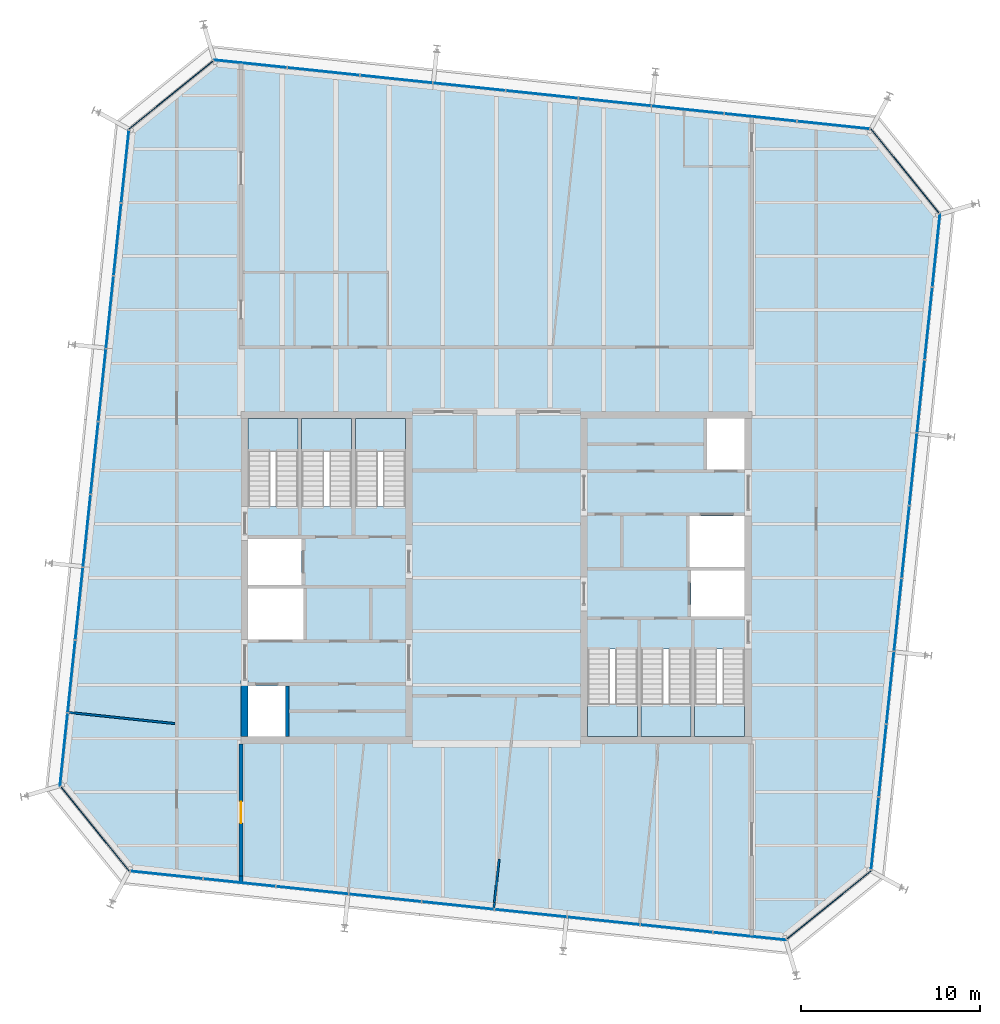
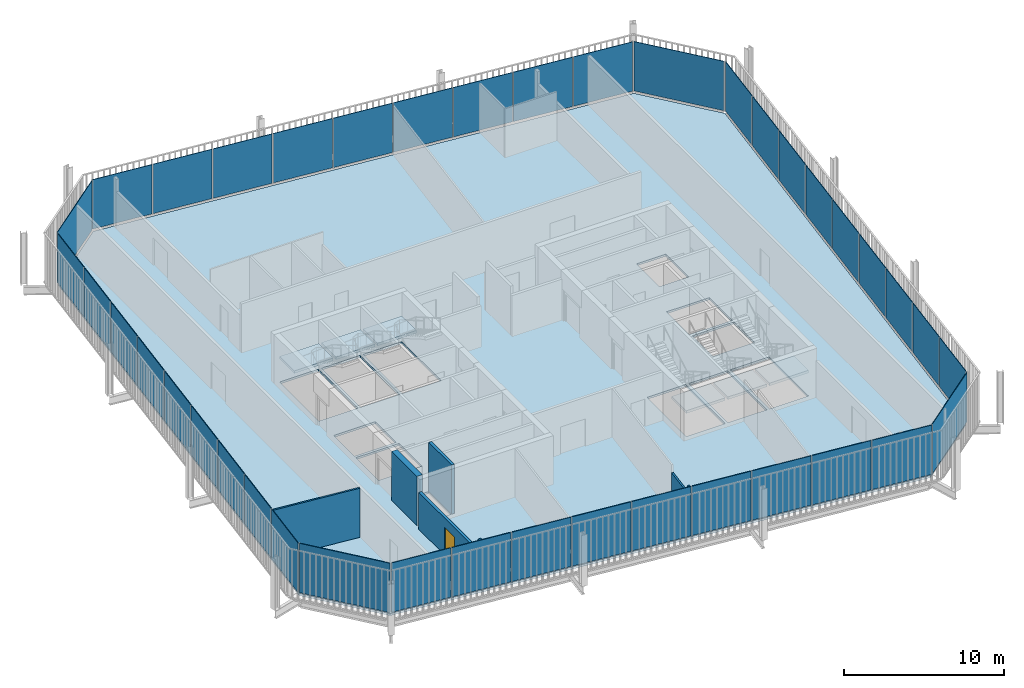
# One storey, part 15 of 20: 40 plates, 7 slabs, 7 walls, 1 door, 1 opening, 14 elements without a shape of their own.
"""IFC4 building model written with IfcOpenShell, lengths in metres."""

import ifcopenshell
import ifcopenshell.guid

model = None  # the IFC model being written
_history = None  # IfcOwnerHistory: only IFC2X3 demands one
_inside = {}  # id of a spatial element -> (the spatial element, [elements in it])
_under = {}  # id of a project, library or spatial element -> (it, [spatial elements below it])
_declared = {}  # id of a project -> (the project, [libraries it declares])
_typed = {}  # id of a type object -> (the type object, [elements of that type])
_made_of = {}  # id of a material, layer set ... -> (it, [elements and type objects made of it])


def new_model(schema):
    """Start an empty IFC model of exactly this schema.

    Asked for "IFC4X3", IfcOpenShell would pick the latest addendum, in which some entities
    have other attributes; the version numbers below select the first issue.
    IFC2X3 requires an IfcOwnerHistory on every rooted entity: one is made here for all.
    """
    global model, _history
    if schema == "IFC4X3":
        model = ifcopenshell.file(schema_version=(4, 3, 0, 0))
    else:
        model = ifcopenshell.file(schema=schema)
    _inside.clear()
    _under.clear()
    _declared.clear()
    _typed.clear()
    _made_of.clear()
    _history = None
    if model.schema == "IFC2X3":
        org = make("IfcOrganization", Name="unknown")
        user = make(
            "IfcPersonAndOrganization",
            ThePerson=make("IfcPerson", FamilyName="unknown"),
            TheOrganization=org,
        )
        app = make(
            "IfcApplication",
            ApplicationDeveloper=org,
            Version="unknown",
            ApplicationFullName="unknown",
            ApplicationIdentifier="unknown",
        )
        _history = make(
            "IfcOwnerHistory",
            OwningUser=user,
            OwningApplication=app,
            ChangeAction="ADDED",
            CreationDate=0,
        )
    return model


def make(cls, **values):
    """One entity of the class cls with the attributes given. An attribute that is None is left unset."""
    return model.create_entity(
        cls, **{name: value for name, value in values.items() if value is not None}
    )


def rooted(cls, **values):
    """An entity with a GlobalId (a new one), such as an element, a storey or a relation."""
    return make(cls, GlobalId=ifcopenshell.guid.new(), OwnerHistory=_history, **values)


def si_unit(unit_type, name, prefix=None):
    """IfcSIUnit, for example si_unit("LENGTHUNIT", "METRE", prefix="MILLI")."""
    return make("IfcSIUnit", UnitType=unit_type, Prefix=prefix, Name=name)


def assignment(units):
    """IfcUnitAssignment: the units of a project."""
    return None if units is None else make("IfcUnitAssignment", Units=units)


def point(xyz):
    """IfcCartesianPoint."""
    return None if xyz is None else make("IfcCartesianPoint", Coordinates=xyz)


def direction(xyz):
    """IfcDirection."""
    return None if xyz is None else make("IfcDirection", DirectionRatios=xyz)


def frame(location, z_axis=None, x_axis=None):
    """IfcAxis2Placement3D, a coordinate frame: its origin and axes. An axis left out is left unset."""
    return make(
        "IfcAxis2Placement3D",
        Location=point(location),
        Axis=direction(z_axis),
        RefDirection=direction(x_axis),
    )


def frame_2d(location, x_axis=None):
    """IfcAxis2Placement2D, a coordinate frame in the plane: its origin and x axis."""
    return make(
        "IfcAxis2Placement2D", Location=point(location), RefDirection=direction(x_axis)
    )


def origin():
    """The frame at (0, 0, 0) with its axes left unset."""
    return frame((0.0, 0.0, 0.0))


def place(relative_to, where):
    """IfcLocalPlacement: puts the frame where relative to a parent placement (None: the world)."""
    return make(
        "IfcLocalPlacement", PlacementRelTo=relative_to, RelativePlacement=where
    )


def context(
    kind, dimensions, precision=None, world=None, true_north=None, identifier=None
):
    """IfcGeometricRepresentationContext, for example the 3D "Model" context."""
    return make(
        "IfcGeometricRepresentationContext",
        ContextIdentifier=identifier,
        ContextType=kind,
        CoordinateSpaceDimension=dimensions,
        Precision=precision,
        WorldCoordinateSystem=world,
        TrueNorth=true_north,
    )


def subcontext(parent, identifier, kind, view, scale=None):
    """IfcGeometricRepresentationSubContext, for example "Body" below "Model"."""
    return make(
        "IfcGeometricRepresentationSubContext",
        ContextIdentifier=identifier,
        ContextType=kind,
        ParentContext=parent,
        TargetScale=scale,
        TargetView=view,
    )


def project(units=None, contexts=None):
    """IfcProject with its units and contexts."""
    return rooted(
        "IfcProject",
        Name="project",
        RepresentationContexts=contexts,
        UnitsInContext=assignment(units),
    )


def spatial(cls, under=None, at=None, **own):
    """A site, building, storey or space (cls), placed at a placement, below another one or the project."""
    s = rooted(cls, ObjectPlacement=at, **own)
    if under is not None:
        _under.setdefault(under.id(), (under, []))[1].append(s)
    return s


def polyline(points):
    """IfcPolyline through the points."""
    return make("IfcPolyline", Points=[point(p) for p in points])


def profile(cls, at=None, kind="AREA", **sizes):
    """A parametric profile (cls). Its sizes go by their IFC names, for example OverallWidth=200.0."""
    return make(cls, ProfileType=kind, Position=at, **sizes)


def rectangle(**sizes):
    """IfcRectangleProfileDef."""
    return profile("IfcRectangleProfileDef", **sizes)


def outline(outer, holes=None, kind="AREA"):
    """IfcArbitraryClosedProfileDef: a profile drawn as a closed curve; with holes, ...WithVoids."""
    if holes is None:
        return make("IfcArbitraryClosedProfileDef", ProfileType=kind, OuterCurve=outer)
    return make(
        "IfcArbitraryProfileDefWithVoids",
        ProfileType=kind,
        OuterCurve=outer,
        InnerCurves=holes,
    )


def extrude(swept, where, along, depth):
    """IfcExtrudedAreaSolid: the profile swept, set in the frame where, extruded along a direction by depth."""
    return make(
        "IfcExtrudedAreaSolid",
        SweptArea=swept,
        Position=where,
        ExtrudedDirection=direction(along),
        Depth=depth,
    )


def shape(context_of_items, identifier, shape_type, items):
    """IfcShapeRepresentation: the items that make up one representation, for example the "Body"."""
    return make(
        "IfcShapeRepresentation",
        ContextOfItems=context_of_items,
        RepresentationIdentifier=identifier,
        RepresentationType=shape_type,
        Items=items,
    )


def material(Name=None, Category=None):
    """IfcMaterial."""
    return make("IfcMaterial", Name=Name, Category=Category)


def layer(
    of_material, thickness, ventilated=None, Name=None, Category=None, Priority=None
):
    """IfcMaterialLayer: one layer of a wall or slab, of a material (None: an air gap)."""
    return make(
        "IfcMaterialLayer",
        Material=of_material,
        LayerThickness=thickness,
        IsVentilated=ventilated,
        Name=Name,
        Category=Category,
        Priority=Priority,
    )


def layer_set(layers, Name=None):
    """IfcMaterialLayerSet."""
    return make("IfcMaterialLayerSet", MaterialLayers=layers, LayerSetName=Name)


def made_of(thing, what):
    """Note that an element or type object is made of a material, layer set ...; save() writes the relation."""
    if what is not None:
        _made_of.setdefault(what.id(), (what, []))[1].append(thing)
    return thing


def type_object(cls, material=None, **own):
    """A type object (cls), such as IfcWallType, which elements share."""
    return made_of(rooted(cls, **own), material)


def element(
    cls,
    number,
    at=None,
    inside=None,
    cuts=None,
    type_object=None,
    material=None,
    context=None,
    identifier="Body",
    shape_type=None,
    held_by="IfcProductDefinitionShape",
    body=None,
    shapes=None,
    **own,
):
    """One element of the class cls, such as IfcWall. Its Tag is "e" and its number.

    at: its placement. inside: the storey or other place that contains it. cuts: it is an
    opening in that element (IfcRelVoidsElement). A single representation is given by context,
    identifier, shape_type and body (its items); several are given by shapes. held_by: the class
    of the entity that holds the representations. save() writes the other relations.
    """
    e = rooted(cls, Tag="e%d" % number, ObjectPlacement=at, **own)
    if body is not None:
        shapes = [shape(context, identifier, shape_type, body)]
    if shapes is not None:
        e.Representation = make(held_by, Representations=shapes)
    if inside is not None:
        _inside.setdefault(inside.id(), (inside, []))[1].append(e)
    if cuts is not None:
        rooted(
            "IfcRelVoidsElement", RelatingBuildingElement=cuts, RelatedOpeningElement=e
        )
    if type_object is not None:
        _typed.setdefault(type_object.id(), (type_object, []))[1].append(e)
    return made_of(e, material)


def fill(opening, filler):
    """IfcRelFillsElement: the door or window that sits in an opening."""
    return rooted(
        "IfcRelFillsElement",
        RelatingOpeningElement=opening,
        RelatedBuildingElement=filler,
    )


def aggregate(whole, parts):
    """IfcRelAggregates: a whole, such as a stair, and the parts it consists of."""
    return rooted("IfcRelAggregates", RelatingObject=whole, RelatedObjects=parts)


def save(model, path):
    """Write the relations noted so far, then the file.

    IfcRelAggregates (storeys below a building ...), IfcRelContainedInSpatialStructure (elements
    in a storey), IfcRelDefinesByType, IfcRelAssociatesMaterial and IfcRelDeclares: one each for
    every whole, place, type object, material and project.
    """
    for whole, parts in _under.values():
        aggregate(whole, parts)
    for where, things in _inside.values():
        rooted(
            "IfcRelContainedInSpatialStructure",
            RelatedElements=things,
            RelatingStructure=where,
        )
    for kind, things in _typed.values():
        rooted("IfcRelDefinesByType", RelatedObjects=things, RelatingType=kind)
    for what, things in _made_of.values():
        rooted("IfcRelAssociatesMaterial", RelatedObjects=things, RelatingMaterial=what)
    for by, libraries in _declared.values():
        rooted("IfcRelDeclares", RelatingContext=by, RelatedDefinitions=libraries)
    model.write(path)


model = new_model("IFC4")

# Units and contexts
model_context = context("Model", 3, precision=1e-05, world=origin(), true_north=direction((0.0, 1.0)))
body_context = subcontext(model_context, "Body", "Model", "MODEL_VIEW")
ifc_project = project(units=[si_unit("LENGTHUNIT", "METRE"), si_unit("AREAUNIT", "SQUARE_METRE"), si_unit("VOLUMEUNIT", "CUBIC_METRE"), si_unit("PLANEANGLEUNIT", "RADIAN"), si_unit("MASSUNIT", "GRAM", prefix="KILO")], contexts=[model_context])

# Site, building, storey
site_placement = place(None, origin())
site = spatial("IfcSite", under=ifc_project, at=site_placement, CompositionType="ELEMENT")
building_placement = place(site_placement, origin())
building = spatial("IfcBuilding", under=site, at=building_placement, Name="Millrace Tower", CompositionType="ELEMENT")
storey_placement = place(building_placement, frame((0.0, 0.0, 295.5)))
storey = spatial("IfcBuildingStorey", under=building, at=storey_placement, Name="L68", CompositionType="ELEMENT", Elevation=295.5)

# Curtain wall, plate
ifc_material_1 = material(Name="Aluminium and glass", Category="aluminium")
ifc_layer_1 = layer(ifc_material_1, 0.14990234375)
ifc_layer_set_1 = layer_set([ifc_layer_1], Name="Aluminium and glass")
curtain_wall_type = type_object("IfcCurtainWallType", Name="CW-1 office vision curtain wall", PredefinedType="NOTDEFINED", material=ifc_layer_set_1)
placement_1 = place(storey_placement, origin())
curtain_wall_1 = element("IfcCurtainWall", 1, at=placement_1, inside=storey, type_object=curtain_wall_type, Name="Curtain wall E-F01 L68", PredefinedType="NOTDEFINED")
ifc_material_2 = material(Name="Glass", Category="glass")
ifc_layer_2 = layer(ifc_material_2, 0.0439453125)
ifc_layer_set_2 = layer_set([ifc_layer_2], Name="Glass")
plate_type = type_object("IfcPlateType", Name="CW-1 office vision curtain wall triple-glazed vision panel", PredefinedType="CURTAIN_PANEL", material=ifc_layer_set_2)
placement_2 = place(storey_placement, frame((0.0, 0.0, 0.139892578125)))
plate_1 = element("IfcPlate", 2, at=placement_2, type_object=plate_type, Name="CW1 panel E-F01.1", PredefinedType="CURTAIN_PANEL", context=body_context, shape_type="SweptSolid", body=[
    extrude(outline(polyline([(-24.388427734375, -11.732421875), (-20.5771484375, -16.439208984375), (-20.554443359375, -16.397216796875), (-24.354248046875, -11.704833984375), (-24.388427734375, -11.732421875)])), origin(), (0.0, 0.0, 1.0), 3.760009765625),
])
aggregate(curtain_wall_1, [plate_1])

# Curtain wall, plates
curtain_wall_2 = element("IfcCurtainWall", 3, at=placement_1, inside=storey, type_object=curtain_wall_type, Name="Curtain wall E-F02 L68", PredefinedType="NOTDEFINED")
plate_2 = element("IfcPlate", 4, at=placement_2, type_object=plate_type, Name="CW1 panel E-F02.1", PredefinedType="CURTAIN_PANEL", context=body_context, shape_type="SweptSolid", body=[
    extrude(outline(polyline([(-20.472412109375, -16.4501953125), (-16.45947265625, -16.871826171875), (-16.454833984375, -16.828125), (-20.4677734375, -16.40625), (-20.472412109375, -16.4501953125)])), origin(), (0.0, 0.0, 1.0), 3.760009765625),
])
plate_3 = element("IfcPlate", 5, at=placement_2, type_object=plate_type, Name="CW1 panel E-F02.2", PredefinedType="CURTAIN_PANEL", context=body_context, shape_type="SweptSolid", body=[
    extrude(outline(polyline([(-16.39501953125, -16.878662109375), (-12.382080078125, -17.300537109375), (-12.37744140625, -17.256591796875), (-16.390380859375, -16.8349609375), (-16.39501953125, -16.878662109375)])), origin(), (0.0, 0.0, 1.0), 3.760009765625),
])
plate_4 = element("IfcPlate", 6, at=placement_2, type_object=plate_type, Name="CW1 panel E-F02.3", PredefinedType="CURTAIN_PANEL", context=body_context, shape_type="SweptSolid", body=[
    extrude(outline(polyline([(-12.3173828125, -17.30712890625), (-8.304443359375, -17.72900390625), (-8.2998046875, -17.685302734375), (-12.312744140625, -17.263427734375), (-12.3173828125, -17.30712890625)])), origin(), (0.0, 0.0, 1.0), 3.760009765625),
])
plate_5 = element("IfcPlate", 7, at=placement_2, type_object=plate_type, Name="CW1 panel E-F02.4", PredefinedType="CURTAIN_PANEL", context=body_context, shape_type="SweptSolid", body=[
    extrude(outline(polyline([(-8.23974609375, -17.73583984375), (-4.22705078125, -18.157470703125), (-4.222412109375, -18.11376953125), (-8.235107421875, -17.692138671875), (-8.23974609375, -17.73583984375)])), origin(), (0.0, 0.0, 1.0), 3.760009765625),
])
plate_6 = element("IfcPlate", 8, at=placement_2, type_object=plate_type, Name="CW1 panel E-F02.5", PredefinedType="CURTAIN_PANEL", context=body_context, shape_type="SweptSolid", body=[
    extrude(outline(polyline([(-4.162353515625, -18.164306640625), (-0.1494140625, -18.586181640625), (-0.144775390625, -18.54248046875), (-4.15771484375, -18.12060546875), (-4.162353515625, -18.164306640625)])), origin(), (0.0, 0.0, 1.0), 3.760009765625),
])
plate_7 = element("IfcPlate", 9, at=placement_2, type_object=plate_type, Name="CW1 panel E-F02.6", PredefinedType="CURTAIN_PANEL", context=body_context, shape_type="SweptSolid", body=[
    extrude(outline(polyline([(-0.084716796875, -18.593017578125), (3.92822265625, -19.0146484375), (3.932861328125, -18.970947265625), (-0.080078125, -18.549072265625), (-0.084716796875, -18.593017578125)])), origin(), (0.0, 0.0, 1.0), 3.760009765625),
])
plate_8 = element("IfcPlate", 10, at=placement_2, type_object=plate_type, Name="CW1 panel E-F02.7", PredefinedType="CURTAIN_PANEL", context=body_context, shape_type="SweptSolid", body=[
    extrude(outline(polyline([(3.99267578125, -19.021484375), (8.005615234375, -19.443359375), (8.01025390625, -19.3994140625), (3.997314453125, -18.977783203125), (3.99267578125, -19.021484375)])), origin(), (0.0, 0.0, 1.0), 3.760009765625),
])
plate_9 = element("IfcPlate", 11, at=placement_2, type_object=plate_type, Name="CW1 panel E-F02.8", PredefinedType="CURTAIN_PANEL", context=body_context, shape_type="SweptSolid", body=[
    extrude(outline(polyline([(8.0703125, -19.449951171875), (12.083251953125, -19.871826171875), (12.087890625, -19.828125), (8.074951171875, -19.40625), (8.0703125, -19.449951171875)])), origin(), (0.0, 0.0, 1.0), 3.760009765625),
])
plate_10 = element("IfcPlate", 12, at=placement_2, type_object=plate_type, Name="CW1 panel E-F02.9", PredefinedType="CURTAIN_PANEL", context=body_context, shape_type="SweptSolid", body=[
    extrude(outline(polyline([(12.14794921875, -19.878662109375), (16.20068359375, -20.3046875), (16.187255859375, -20.259033203125), (12.152587890625, -19.8349609375), (12.14794921875, -19.878662109375)])), origin(), (0.0, 0.0, 1.0), 3.760009765625),
])
aggregate(curtain_wall_2, [plate_2, plate_3, plate_4, plate_5, plate_6, plate_7, plate_8, plate_9, plate_10])

# Curtain wall, plate
curtain_wall_3 = element("IfcCurtainWall", 13, at=placement_1, inside=storey, type_object=curtain_wall_type, Name="Curtain wall E-F03 L68", PredefinedType="NOTDEFINED")
plate_11 = element("IfcPlate", 14, at=placement_2, type_object=plate_type, Name="CW1 panel E-F03.1", PredefinedType="CURTAIN_PANEL", context=body_context, shape_type="SweptSolid", body=[
    extrude(outline(polyline([(16.282470703125, -20.23828125), (20.989013671875, -16.427001953125), (20.947265625, -16.404296875), (16.2548828125, -20.2041015625), (16.282470703125, -20.23828125)])), origin(), (0.0, 0.0, 1.0), 3.760009765625),
])
aggregate(curtain_wall_3, [plate_11])

# Curtain wall, plates
curtain_wall_4 = element("IfcCurtainWall", 15, at=placement_1, inside=storey, type_object=curtain_wall_type, Name="Curtain wall E-F04 L68", PredefinedType="NOTDEFINED")
plate_12 = element("IfcPlate", 16, at=placement_2, type_object=plate_type, Name="CW1 panel E-F04.1", PredefinedType="CURTAIN_PANEL", context=body_context, shape_type="SweptSolid", body=[
    extrude(outline(polyline([(21.0, -16.322509765625), (21.421875, -12.3095703125), (21.378173828125, -12.304931640625), (20.956298828125, -16.31787109375), (21.0, -16.322509765625)])), origin(), (0.0, 0.0, 1.0), 3.760009765625),
])
plate_13 = element("IfcPlate", 17, at=placement_2, type_object=plate_type, Name="CW1 panel E-F04.2", PredefinedType="CURTAIN_PANEL", context=body_context, shape_type="SweptSolid", body=[
    extrude(outline(polyline([(21.4287109375, -12.244873046875), (21.850341796875, -8.23193359375), (21.806640625, -8.227294921875), (21.385009765625, -12.240234375), (21.4287109375, -12.244873046875)])), origin(), (0.0, 0.0, 1.0), 3.760009765625),
])
plate_14 = element("IfcPlate", 18, at=placement_2, type_object=plate_type, Name="CW1 panel E-F04.3", PredefinedType="CURTAIN_PANEL", context=body_context, shape_type="SweptSolid", body=[
    extrude(outline(polyline([(21.857177734375, -8.16748046875), (22.279052734375, -4.154541015625), (22.2353515625, -4.14990234375), (21.8134765625, -8.162841796875), (21.857177734375, -8.16748046875)])), origin(), (0.0, 0.0, 1.0), 3.760009765625),
])
plate_15 = element("IfcPlate", 19, at=placement_2, type_object=plate_type, Name="CW1 panel E-F04.4", PredefinedType="CURTAIN_PANEL", context=body_context, shape_type="SweptSolid", body=[
    extrude(outline(polyline([(22.285888671875, -4.08984375), (22.70751953125, -0.076904296875), (22.663818359375, -0.072265625), (22.241943359375, -4.085205078125), (22.285888671875, -4.08984375)])), origin(), (0.0, 0.0, 1.0), 3.760009765625),
])
plate_16 = element("IfcPlate", 20, at=placement_2, type_object=plate_type, Name="CW1 panel E-F04.5", PredefinedType="CURTAIN_PANEL", context=body_context, shape_type="SweptSolid", body=[
    extrude(outline(polyline([(22.71435546875, -0.01220703125), (23.13623046875, 4.00048828125), (23.09228515625, 4.005126953125), (22.670654296875, -0.007568359375), (22.71435546875, -0.01220703125)])), origin(), (0.0, 0.0, 1.0), 3.760009765625),
])
plate_17 = element("IfcPlate", 21, at=placement_2, type_object=plate_type, Name="CW1 panel E-F04.6", PredefinedType="CURTAIN_PANEL", context=body_context, shape_type="SweptSolid", body=[
    extrude(outline(polyline([(23.142822265625, 4.065185546875), (23.564697265625, 8.078125), (23.52099609375, 8.082763671875), (23.09912109375, 4.06982421875), (23.142822265625, 4.065185546875)])), origin(), (0.0, 0.0, 1.0), 3.760009765625),
])
plate_18 = element("IfcPlate", 22, at=placement_2, type_object=plate_type, Name="CW1 panel E-F04.7", PredefinedType="CURTAIN_PANEL", context=body_context, shape_type="SweptSolid", body=[
    extrude(outline(polyline([(23.571533203125, 8.142822265625), (23.9931640625, 12.15576171875), (23.949462890625, 12.160400390625), (23.52783203125, 8.1474609375), (23.571533203125, 8.142822265625)])), origin(), (0.0, 0.0, 1.0), 3.760009765625),
])
plate_19 = element("IfcPlate", 23, at=placement_2, type_object=plate_type, Name="CW1 panel E-F04.8", PredefinedType="CURTAIN_PANEL", context=body_context, shape_type="SweptSolid", body=[
    extrude(outline(polyline([(24.0, 12.22021484375), (24.421875, 16.233154296875), (24.378173828125, 16.23779296875), (23.956298828125, 12.224853515625), (24.0, 12.22021484375)])), origin(), (0.0, 0.0, 1.0), 3.760009765625),
])
plate_20 = element("IfcPlate", 24, at=placement_2, type_object=plate_type, Name="CW1 panel E-F04.9", PredefinedType="CURTAIN_PANEL", context=body_context, shape_type="SweptSolid", body=[
    extrude(outline(polyline([(24.4287109375, 16.2978515625), (24.8544921875, 20.350830078125), (24.808837890625, 20.337158203125), (24.384765625, 16.302490234375), (24.4287109375, 16.2978515625)])), origin(), (0.0, 0.0, 1.0), 3.760009765625),
])
aggregate(curtain_wall_4, [plate_12, plate_13, plate_14, plate_15, plate_16, plate_17, plate_18, plate_19, plate_20])

# Curtain wall, plate
curtain_wall_5 = element("IfcCurtainWall", 25, at=placement_1, inside=storey, type_object=curtain_wall_type, Name="Curtain wall E-F05 L68", PredefinedType="NOTDEFINED")
plate_21 = element("IfcPlate", 26, at=placement_2, type_object=plate_type, Name="CW1 panel E-F05.1", PredefinedType="CURTAIN_PANEL", context=body_context, shape_type="SweptSolid", body=[
    extrude(outline(polyline([(24.788330078125, 20.432373046875), (20.97705078125, 25.13916015625), (20.954345703125, 25.09716796875), (24.754150390625, 20.40478515625), (24.788330078125, 20.432373046875)])), origin(), (0.0, 0.0, 1.0), 3.760009765625),
])
aggregate(curtain_wall_5, [plate_21])

# Curtain wall, plates
curtain_wall_6 = element("IfcCurtainWall", 27, at=placement_1, inside=storey, type_object=curtain_wall_type, Name="Curtain wall E-F06 L68", PredefinedType="NOTDEFINED")
plate_22 = element("IfcPlate", 28, at=placement_2, type_object=plate_type, Name="CW1 panel E-F06.1", PredefinedType="CURTAIN_PANEL", context=body_context, shape_type="SweptSolid", body=[
    extrude(outline(polyline([(20.87255859375, 25.150146484375), (16.859619140625, 25.57177734375), (16.85498046875, 25.528076171875), (20.867919921875, 25.1064453125), (20.87255859375, 25.150146484375)])), origin(), (0.0, 0.0, 1.0), 3.760009765625),
])
plate_23 = element("IfcPlate", 29, at=placement_2, type_object=plate_type, Name="CW1 panel E-F06.2", PredefinedType="CURTAIN_PANEL", context=body_context, shape_type="SweptSolid", body=[
    extrude(outline(polyline([(16.794921875, 25.57861328125), (12.781982421875, 26.00048828125), (12.77734375, 25.956787109375), (16.790283203125, 25.534912109375), (16.794921875, 25.57861328125)])), origin(), (0.0, 0.0, 1.0), 3.760009765625),
])
plate_24 = element("IfcPlate", 30, at=placement_2, type_object=plate_type, Name="CW1 panel E-F06.3", PredefinedType="CURTAIN_PANEL", context=body_context, shape_type="SweptSolid", body=[
    extrude(outline(polyline([(12.71728515625, 26.00732421875), (8.70458984375, 26.428955078125), (8.699951171875, 26.38525390625), (12.712646484375, 25.96337890625), (12.71728515625, 26.00732421875)])), origin(), (0.0, 0.0, 1.0), 3.760009765625),
])
plate_25 = element("IfcPlate", 31, at=placement_2, type_object=plate_type, Name="CW1 panel E-F06.4", PredefinedType="CURTAIN_PANEL", context=body_context, shape_type="SweptSolid", body=[
    extrude(outline(polyline([(8.639892578125, 26.435791015625), (4.626953125, 26.857666015625), (4.622314453125, 26.813720703125), (8.63525390625, 26.39208984375), (8.639892578125, 26.435791015625)])), origin(), (0.0, 0.0, 1.0), 3.760009765625),
])
plate_26 = element("IfcPlate", 32, at=placement_2, type_object=plate_type, Name="CW1 panel E-F06.5", PredefinedType="CURTAIN_PANEL", context=body_context, shape_type="SweptSolid", body=[
    extrude(outline(polyline([(4.562255859375, 26.8642578125), (0.54931640625, 27.2861328125), (0.544677734375, 27.242431640625), (4.5576171875, 26.820556640625), (4.562255859375, 26.8642578125)])), origin(), (0.0, 0.0, 1.0), 3.760009765625),
])
plate_27 = element("IfcPlate", 33, at=placement_2, type_object=plate_type, Name="CW1 panel E-F06.6", PredefinedType="CURTAIN_PANEL", context=body_context, shape_type="SweptSolid", body=[
    extrude(outline(polyline([(0.48486328125, 27.29296875), (-3.528076171875, 27.714599609375), (-3.53271484375, 27.6708984375), (0.480224609375, 27.249267578125), (0.48486328125, 27.29296875)])), origin(), (0.0, 0.0, 1.0), 3.760009765625),
])
plate_28 = element("IfcPlate", 34, at=placement_2, type_object=plate_type, Name="CW1 panel E-F06.7", PredefinedType="CURTAIN_PANEL", context=body_context, shape_type="SweptSolid", body=[
    extrude(outline(polyline([(-3.5927734375, 27.721435546875), (-7.605712890625, 28.143310546875), (-7.6103515625, 28.099609375), (-3.597412109375, 27.677734375), (-3.5927734375, 27.721435546875)])), origin(), (0.0, 0.0, 1.0), 3.760009765625),
])
plate_29 = element("IfcPlate", 35, at=placement_2, type_object=plate_type, Name="CW1 panel E-F06.8", PredefinedType="CURTAIN_PANEL", context=body_context, shape_type="SweptSolid", body=[
    extrude(outline(polyline([(-7.67041015625, 28.150146484375), (-11.68310546875, 28.57177734375), (-11.687744140625, 28.528076171875), (-7.675048828125, 28.106201171875), (-7.67041015625, 28.150146484375)])), origin(), (0.0, 0.0, 1.0), 3.760009765625),
])
plate_30 = element("IfcPlate", 36, at=placement_2, type_object=plate_type, Name="CW1 panel E-F06.9", PredefinedType="CURTAIN_PANEL", context=body_context, shape_type="SweptSolid", body=[
    extrude(outline(polyline([(-11.747802734375, 28.57861328125), (-15.80078125, 29.004638671875), (-15.787109375, 28.958984375), (-11.75244140625, 28.534912109375), (-11.747802734375, 28.57861328125)])), origin(), (0.0, 0.0, 1.0), 3.760009765625),
])
aggregate(curtain_wall_6, [plate_22, plate_23, plate_24, plate_25, plate_26, plate_27, plate_28, plate_29, plate_30])

# Curtain wall, plate
curtain_wall_7 = element("IfcCurtainWall", 37, at=placement_1, inside=storey, type_object=curtain_wall_type, Name="Curtain wall E-F07 L68", PredefinedType="NOTDEFINED")
plate_31 = element("IfcPlate", 38, at=placement_2, type_object=plate_type, Name="CW1 panel E-F07.1", PredefinedType="CURTAIN_PANEL", context=body_context, shape_type="SweptSolid", body=[
    extrude(outline(polyline([(-15.882568359375, 28.9384765625), (-20.589111328125, 25.126953125), (-20.547119140625, 25.104248046875), (-15.854736328125, 28.904296875), (-15.882568359375, 28.9384765625)])), origin(), (0.0, 0.0, 1.0), 3.760009765625),
])
aggregate(curtain_wall_7, [plate_31])

# Curtain wall, plates
curtain_wall_8 = element("IfcCurtainWall", 39, at=placement_1, inside=storey, type_object=curtain_wall_type, Name="Curtain wall E-F08 L68", PredefinedType="NOTDEFINED")
plate_32 = element("IfcPlate", 40, at=placement_2, type_object=plate_type, Name="CW1 panel E-F08.1", PredefinedType="CURTAIN_PANEL", context=body_context, shape_type="SweptSolid", body=[
    extrude(outline(polyline([(-20.60009765625, 25.0224609375), (-21.02197265625, 21.009521484375), (-20.97802734375, 21.0048828125), (-20.556396484375, 25.017822265625), (-20.60009765625, 25.0224609375)])), origin(), (0.0, 0.0, 1.0), 3.760009765625),
])
plate_33 = element("IfcPlate", 41, at=placement_2, type_object=plate_type, Name="CW1 panel E-F08.2", PredefinedType="CURTAIN_PANEL", context=body_context, shape_type="SweptSolid", body=[
    extrude(outline(polyline([(-21.028564453125, 20.94482421875), (-21.450439453125, 16.93212890625), (-21.40673828125, 16.927490234375), (-20.98486328125, 20.9404296875), (-21.028564453125, 20.94482421875)])), origin(), (0.0, 0.0, 1.0), 3.760009765625),
])
plate_34 = element("IfcPlate", 42, at=placement_2, type_object=plate_type, Name="CW1 panel E-F08.3", PredefinedType="CURTAIN_PANEL", context=body_context, shape_type="SweptSolid", body=[
    extrude(outline(polyline([(-21.457275390625, 16.867431640625), (-21.87890625, 12.8544921875), (-21.835205078125, 12.849853515625), (-21.41357421875, 16.86279296875), (-21.457275390625, 16.867431640625)])), origin(), (0.0, 0.0, 1.0), 3.760009765625),
])
plate_35 = element("IfcPlate", 43, at=placement_2, type_object=plate_type, Name="CW1 panel E-F08.4", PredefinedType="CURTAIN_PANEL", context=body_context, shape_type="SweptSolid", body=[
    extrude(outline(polyline([(-21.8857421875, 12.789794921875), (-22.3076171875, 8.77685546875), (-22.263916015625, 8.772216796875), (-21.842041015625, 12.78515625), (-21.8857421875, 12.789794921875)])), origin(), (0.0, 0.0, 1.0), 3.760009765625),
])
plate_36 = element("IfcPlate", 44, at=placement_2, type_object=plate_type, Name="CW1 panel E-F08.5", PredefinedType="CURTAIN_PANEL", context=body_context, shape_type="SweptSolid", body=[
    extrude(outline(polyline([(-22.314453125, 8.71240234375), (-22.736083984375, 4.699462890625), (-22.6923828125, 4.69482421875), (-22.2705078125, 8.707763671875), (-22.314453125, 8.71240234375)])), origin(), (0.0, 0.0, 1.0), 3.760009765625),
])
plate_37 = element("IfcPlate", 45, at=placement_2, type_object=plate_type, Name="CW1 panel E-F08.6", PredefinedType="CURTAIN_PANEL", context=body_context, shape_type="SweptSolid", body=[
    extrude(outline(polyline([(-22.742919921875, 4.634765625), (-23.164794921875, 0.621826171875), (-23.120849609375, 0.6171875), (-22.69921875, 4.630126953125), (-22.742919921875, 4.634765625)])), origin(), (0.0, 0.0, 1.0), 3.760009765625),
])
plate_38 = element("IfcPlate", 46, at=placement_2, type_object=plate_type, Name="CW1 panel E-F08.7", PredefinedType="CURTAIN_PANEL", context=body_context, shape_type="SweptSolid", body=[
    extrude(outline(polyline([(-23.17138671875, 0.55712890625), (-23.59326171875, -3.45556640625), (-23.549560546875, -3.460205078125), (-23.127685546875, 0.552490234375), (-23.17138671875, 0.55712890625)])), origin(), (0.0, 0.0, 1.0), 3.760009765625),
])
plate_39 = element("IfcPlate", 47, at=placement_2, type_object=plate_type, Name="CW1 panel E-F08.8", PredefinedType="CURTAIN_PANEL", context=body_context, shape_type="SweptSolid", body=[
    extrude(outline(polyline([(-23.60009765625, -3.520263671875), (-24.021728515625, -7.533203125), (-23.97802734375, -7.537841796875), (-23.556396484375, -3.52490234375), (-23.60009765625, -3.520263671875)])), origin(), (0.0, 0.0, 1.0), 3.760009765625),
])
plate_40 = element("IfcPlate", 48, at=placement_2, type_object=plate_type, Name="CW1 panel E-F08.9", PredefinedType="CURTAIN_PANEL", context=body_context, shape_type="SweptSolid", body=[
    extrude(outline(polyline([(-24.028564453125, -7.597900390625), (-24.45458984375, -11.650634765625), (-24.408935546875, -11.63720703125), (-23.98486328125, -7.6025390625), (-24.028564453125, -7.597900390625)])), origin(), (0.0, 0.0, 1.0), 3.760009765625),
])
aggregate(curtain_wall_8, [plate_32, plate_33, plate_34, plate_35, plate_36, plate_37, plate_38, plate_39, plate_40])

# Slab
ifc_material_3 = material(Name="Concrete C35 on steel deck", Category="concrete")
ifc_layer_3 = layer(ifc_material_3, 0.159912109375)
ifc_layer_set_3 = layer_set([ifc_layer_3], Name="Concrete C35 on steel deck")
slab_type_1 = type_object("IfcSlabType", Name="Composite floor slab 160 mm", PredefinedType="FLOOR", material=ifc_layer_set_3)
slab_1_placement = place(storey_placement, frame((0.0, 0.0, -0.159912109375)))
element("IfcSlab", 49, at=slab_1_placement, inside=storey, type_object=slab_type_1, Name="SL-E-L68-S1", PredefinedType="FLOOR", context=body_context, shape_type="SweptSolid", body=[
    extrude(outline(polyline([(-24.35400390625, -11.620849609375), (-20.52685546875, -16.346923828125), (16.1708984375, -20.203857421875), (20.896728515625, -16.376953125), (24.75390625, 20.32080078125), (20.927001953125, 25.046875), (-15.77099609375, 28.90380859375), (-20.496826171875, 25.076904296875), (-24.35400390625, -11.620849609375)]), holes=[polyline([(-13.89990234375, -8.89990234375), (-11.800048828125, -8.89990234375), (-11.800048828125, -6.050048828125), (-13.89990234375, -6.050048828125), (-13.89990234375, -8.89990234375)]), polyline([(-13.89990234375, -3.449951171875), (-10.800048828125, -3.449951171875), (-10.800048828125, -0.60009765625), (-13.89990234375, -0.60009765625), (-13.89990234375, -3.449951171875)]), polyline([(-13.89990234375, -0.39990234375), (-10.89990234375, -0.39990234375), (-10.89990234375, 2.179931640625), (-13.89990234375, 2.179931640625), (-13.89990234375, -0.39990234375)]), polyline([(-13.89990234375, 4.0), (-11.10009765625, 4.0), (-11.10009765625, 8.89990234375), (-13.89990234375, 8.89990234375), (-13.89990234375, 4.0)]), polyline([(-10.89990234375, 4.0), (-8.10009765625, 4.0), (-8.10009765625, 8.89990234375), (-10.89990234375, 8.89990234375), (-10.89990234375, 4.0)]), polyline([(-7.89990234375, 4.0), (-5.10009765625, 4.0), (-5.10009765625, 8.89990234375), (-7.89990234375, 8.89990234375), (-7.89990234375, 4.0)]), polyline([(11.800048828125, 6.050048828125), (13.89990234375, 6.050048828125), (13.89990234375, 8.89990234375), (11.800048828125, 8.89990234375), (11.800048828125, 6.050048828125)]), polyline([(10.800048828125, 0.60009765625), (13.89990234375, 0.60009765625), (13.89990234375, 3.449951171875), (10.800048828125, 3.449951171875), (10.800048828125, 0.60009765625)]), polyline([(10.89990234375, -2.179931640625), (13.89990234375, -2.179931640625), (13.89990234375, 0.39990234375), (10.89990234375, 0.39990234375), (10.89990234375, -2.179931640625)]), polyline([(11.10009765625, -8.89990234375), (13.89990234375, -8.89990234375), (13.89990234375, -4.0), (11.10009765625, -4.0), (11.10009765625, -8.89990234375)]), polyline([(8.10009765625, -8.89990234375), (10.89990234375, -8.89990234375), (10.89990234375, -4.0), (8.10009765625, -4.0), (8.10009765625, -8.89990234375)]), polyline([(5.10009765625, -8.89990234375), (7.89990234375, -8.89990234375), (7.89990234375, -4.0), (5.10009765625, -4.0), (5.10009765625, -8.89990234375)])]), origin(), (0.0, 0.0, 1.0), 0.159912109375),
])

# Stair, slab
ifc_material_4 = material(Name="Concrete C35", Category="concrete")
stair_type = type_object("IfcStairType", Name="Exit stair", PredefinedType="HALF_TURN_STAIR", material=ifc_material_4)
stair_1 = element("IfcStair", 50, at=placement_1, inside=storey, type_object=stair_type, Name="Stair 1 W L68", PredefinedType="HALF_TURN_STAIR")
ifc_material_5 = material(Name="Concrete C40", Category="concrete")
ifc_layer_4 = layer(ifc_material_5, 0.199951171875)
ifc_layer_set_4 = layer_set([ifc_layer_4], Name="Concrete C40")
slab_type_2 = type_object("IfcSlabType", Name="Stair landing", PredefinedType="LANDING", material=ifc_layer_set_4)
placement_3 = place(storey_placement, frame((0.0, 0.0, 1.75)))
slab_2 = element("IfcSlab", 51, at=placement_3, type_object=slab_type_2, Name="ST12 landing 1", PredefinedType="LANDING", context=body_context, shape_type="SweptSolid", body=[
    extrude(outline(polyline([(-13.89990234375, 7.080078125), (-11.10009765625, 7.080078125), (-11.10009765625, 8.89990234375), (-13.89990234375, 8.89990234375), (-13.89990234375, 7.080078125)])), origin(), (0.0, 0.0, 1.0), 0.199951171875),
])
aggregate(stair_1, [slab_2])

stair_2 = element("IfcStair", 52, at=placement_1, inside=storey, type_object=stair_type, Name="Stair 2 W L68", PredefinedType="HALF_TURN_STAIR")
slab_3 = element("IfcSlab", 53, at=placement_3, type_object=slab_type_2, Name="ST12 landing 1", PredefinedType="LANDING", context=body_context, shape_type="SweptSolid", body=[
    extrude(outline(polyline([(-10.89990234375, 7.080078125), (-8.10009765625, 7.080078125), (-8.10009765625, 8.89990234375), (-10.89990234375, 8.89990234375), (-10.89990234375, 7.080078125)])), origin(), (0.0, 0.0, 1.0), 0.199951171875),
])
aggregate(stair_2, [slab_3])

stair_3 = element("IfcStair", 54, at=placement_1, inside=storey, type_object=stair_type, Name="Stair 3 W L68", PredefinedType="HALF_TURN_STAIR")
slab_4 = element("IfcSlab", 55, at=placement_3, type_object=slab_type_2, Name="ST12 landing 1", PredefinedType="LANDING", context=body_context, shape_type="SweptSolid", body=[
    extrude(outline(polyline([(-7.89990234375, 7.080078125), (-5.10009765625, 7.080078125), (-5.10009765625, 8.89990234375), (-7.89990234375, 8.89990234375), (-7.89990234375, 7.080078125)])), origin(), (0.0, 0.0, 1.0), 0.199951171875),
])
aggregate(stair_3, [slab_4])

stair_4 = element("IfcStair", 56, at=placement_1, inside=storey, type_object=stair_type, Name="Stair 1 E L68", PredefinedType="HALF_TURN_STAIR")
slab_5 = element("IfcSlab", 57, at=placement_3, type_object=slab_type_2, Name="ST12 landing 1", PredefinedType="LANDING", context=body_context, shape_type="SweptSolid", body=[
    extrude(outline(polyline([(11.10009765625, -8.89990234375), (13.89990234375, -8.89990234375), (13.89990234375, -7.080078125), (11.10009765625, -7.080078125), (11.10009765625, -8.89990234375)])), origin(), (0.0, 0.0, 1.0), 0.199951171875),
])
aggregate(stair_4, [slab_5])

stair_5 = element("IfcStair", 58, at=placement_1, inside=storey, type_object=stair_type, Name="Stair 2 E L68", PredefinedType="HALF_TURN_STAIR")
slab_6 = element("IfcSlab", 59, at=placement_3, type_object=slab_type_2, Name="ST12 landing 1", PredefinedType="LANDING", context=body_context, shape_type="SweptSolid", body=[
    extrude(outline(polyline([(8.10009765625, -8.89990234375), (10.89990234375, -8.89990234375), (10.89990234375, -7.080078125), (8.10009765625, -7.080078125), (8.10009765625, -8.89990234375)])), origin(), (0.0, 0.0, 1.0), 0.199951171875),
])
aggregate(stair_5, [slab_6])

stair_6 = element("IfcStair", 60, at=placement_1, inside=storey, type_object=stair_type, Name="Stair 3 E L68", PredefinedType="HALF_TURN_STAIR")
slab_7 = element("IfcSlab", 61, at=placement_3, type_object=slab_type_2, Name="ST12 landing 1", PredefinedType="LANDING", context=body_context, shape_type="SweptSolid", body=[
    extrude(outline(polyline([(5.10009765625, -8.89990234375), (7.89990234375, -8.89990234375), (7.89990234375, -7.080078125), (5.10009765625, -7.080078125), (5.10009765625, -8.89990234375)])), origin(), (0.0, 0.0, 1.0), 0.199951171875),
])
aggregate(stair_6, [slab_7])

# Walls
ifc_material_6 = material(Name="Concrete C60", Category="concrete")
ifc_layer_5 = layer(ifc_material_6, 0.39990234375)
ifc_layer_set_5 = layer_set([ifc_layer_5], Name="Concrete C60")
wall_type_1 = type_object("IfcWallType", Name="Core wall 400 Concrete C60", PredefinedType="SHEAR", material=ifc_layer_set_5)
wall_1_placement = place(storey_placement, frame((-14.10009765625, -8.89990234375, 0.0), z_axis=(0.0, 0.0, 1.0), x_axis=(0.0, 1.0, 0.0)))
element("IfcWall", 62, at=wall_1_placement, inside=storey, type_object=wall_type_1, Name="Core wall W L68", PredefinedType="SHEAR", context=body_context, shape_type="SweptSolid", body=[
    extrude(rectangle(XDim=3.14990234375, YDim=0.39990234375, at=frame_2d((1.574951171875, 0.0))), origin(), (0.0, 0.0, 1.0), 3.739990234375),
])
ifc_material_7 = material(Name="Masonry partition, fire-rated", Category="masonry")
ifc_layer_6 = layer(ifc_material_7, 0.199951171875)
ifc_layer_set_6 = layer_set([ifc_layer_6], Name="Masonry partition, fire-rated")
wall_type_2 = type_object("IfcWallType", Name="Corridor wall 200", PredefinedType="PARTITIONING", material=ifc_layer_set_6)
wall_2_placement = place(storey_placement, frame((-14.300048828125, -17.031494140625, 0.0), z_axis=(0.0, 0.0, 1.0), x_axis=(0.0, 1.0, 0.0)))
element("IfcWall", 63, at=wall_2_placement, inside=storey, type_object=wall_type_2, Name="Corridor wall L68", PredefinedType="PARTITIONING", context=body_context, shape_type="SweptSolid", body=[
    extrude(rectangle(XDim=0.339111328125, YDim=0.199951171875, at=frame_2d((0.16943359375, 0.0))), origin(), (0.0, 0.0, 1.0), 3.739990234375),
])

# Wall, opening, door
wall_3_placement = place(storey_placement, frame((-14.300048828125, -16.6923828125, 0.0), z_axis=(0.0, 0.0, 1.0), x_axis=(0.0, 1.0, 0.0)))
wall_3 = element("IfcWall", 64, at=wall_3_placement, inside=storey, type_object=wall_type_2, Name="Corridor wall L68", PredefinedType="PARTITIONING", context=body_context, shape_type="SweptSolid", body=[
    extrude(rectangle(XDim=7.392333984375, YDim=0.199951171875, at=frame_2d((3.6962890625, 0.0))), origin(), (0.0, 0.0, 1.0), 2.81298828125),
])
opening_placement = place(wall_3_placement, frame((2.95166015625, 0.0, 0.0)))
opening = element("IfcOpeningElement", 65, at=opening_placement, cuts=wall_3, Name="Opening 68-P009", PredefinedType="OPENING", context=body_context, shape_type="SweptSolid", body=[
    extrude(rectangle(XDim=1.199951171875, YDim=2.10009765625, at=frame_2d((0.60009765625, 1.050048828125))), frame((0.0, 0.10986328125, 0.0), z_axis=(0.0, -1.0, 0.0), x_axis=(1.0, 0.0, 0.0)), (0.0, 0.0, 1.0), 0.219970703125),
])
ifc_material_8 = material(Name="Steel door set, fire-rated", Category="steel")
door_type = type_object("IfcDoorType", Name="Corridor door 1200 x 2100", OperationType="SINGLE_SWING_LEFT", PredefinedType="DOOR", material=ifc_material_8)
door_placement = place(opening_placement, frame((1.199951171875, 0.0, 0.0), z_axis=(0.0, 0.0, 1.0), x_axis=(-1.0, 0.0, 0.0)))
door = element("IfcDoor", 66, at=door_placement, inside=storey, type_object=door_type, Name="Door 68-P009", OperationType="SINGLE_SWING_RIGHT", OverallHeight=2.10009765625, OverallWidth=1.199951171875, PredefinedType="DOOR", context=body_context, shape_type="SweptSolid", body=[
    extrude(rectangle(XDim=1.199951171875, YDim=2.10009765625, at=frame_2d((0.60009765625, 1.050048828125))), frame((0.0, 0.02490234375, 0.0), z_axis=(0.0, -1.0, 0.0), x_axis=(1.0, 0.0, 0.0)), (0.0, 0.0, 1.0), 0.050048828125),
])
fill(opening, door)

# Walls
ifc_material_9 = material(Name="Masonry partition, fire-rated", Category="masonry")
ifc_layer_7 = layer(ifc_material_9, 0.199951171875)
ifc_layer_set_7 = layer_set([ifc_layer_7], Name="Masonry partition, fire-rated")
wall_type_3 = type_object("IfcWallType", Name="Lift shaft wall 200", PredefinedType="PARTITIONING", material=ifc_layer_set_7)
wall_4_placement = place(storey_placement, frame((-11.699951171875, -8.89990234375, 0.0), z_axis=(0.0, 0.0, 1.0), x_axis=(0.0, 1.0, 0.0)))
element("IfcWall", 67, at=wall_4_placement, inside=storey, type_object=wall_type_3, Name="Lift shaft wall W L68", PredefinedType="PARTITIONING", context=body_context, shape_type="SweptSolid", body=[
    extrude(rectangle(XDim=2.849853515625, YDim=0.199951171875, at=frame_2d((1.4248046875, 0.0))), origin(), (0.0, 0.0, 1.0), 3.739990234375),
])
ifc_material_10 = material(Name="Gypsum board partition")
ifc_layer_8 = layer(ifc_material_10, 0.1201171875)
ifc_layer_set_8 = layer_set([ifc_layer_8], Name="Gypsum board partition")
wall_type_4 = type_object("IfcWallType", Name="Partition wall 120", PredefinedType="PARTITIONING", material=ifc_layer_set_8)
wall_5_placement = place(storey_placement, frame((-23.955078125, -7.539794921875, 0.0), z_axis=(0.0, 0.0, 1.0), x_axis=(0.994508803254, -0.104652951462, 0.0)))
element("IfcWall", 68, at=wall_5_placement, inside=storey, type_object=wall_type_4, Name="Partition wall L68", PredefinedType="PARTITIONING", context=body_context, shape_type="SweptSolid", body=[
    extrude(rectangle(XDim=5.988525390625, YDim=0.1201171875, at=frame_2d((2.994140625, 0.0))), origin(), (0.0, 0.0, 1.0), 3.739990234375),
])
wall_6_placement = place(storey_placement, frame((-0.142822265625, -18.51953125, 0.0), z_axis=(0.0, 0.0, 1.0), x_axis=(0.104142656506, 0.994562369636, 0.0)))
element("IfcWall", 69, at=wall_6_placement, inside=storey, type_object=wall_type_4, Name="Partition wall L68", PredefinedType="PARTITIONING", context=body_context, shape_type="SweptSolid", body=[
    extrude(rectangle(XDim=0.328125, YDim=0.1201171875, at=frame_2d((0.1640625, 0.0))), origin(), (0.0, 0.0, 1.0), 3.739990234375),
])
wall_7_placement = place(storey_placement, frame((-0.108642578125, -18.193115234375, 0.0), z_axis=(0.0, 0.0, 1.0), x_axis=(0.104560846854, 0.994518491183, 0.0)))
element("IfcWall", 70, at=wall_7_placement, inside=storey, type_object=wall_type_4, Name="Partition wall L68", PredefinedType="PARTITIONING", context=body_context, shape_type="SweptSolid", body=[
    extrude(rectangle(XDim=2.4609375, YDim=0.1201171875, at=frame_2d((1.23046875, 0.0))), origin(), (0.0, 0.0, 1.0), 3.140625),
])

save(model, "model.ifc")
